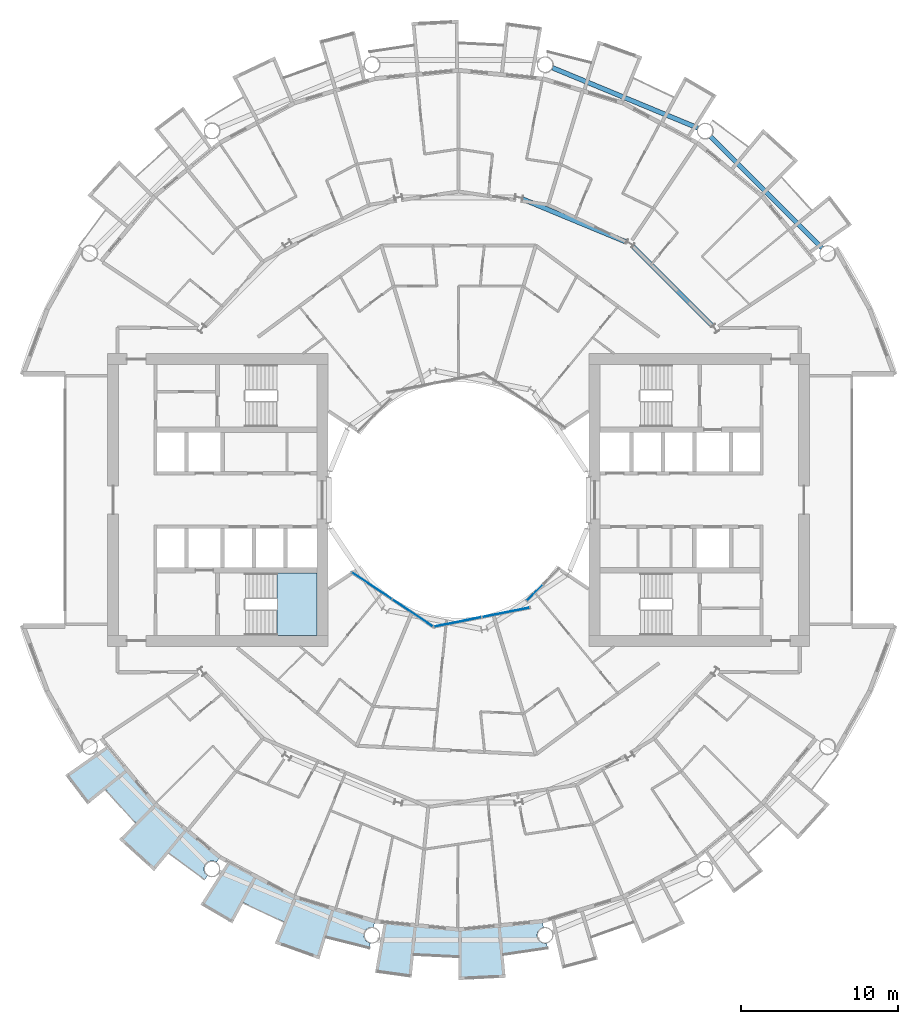
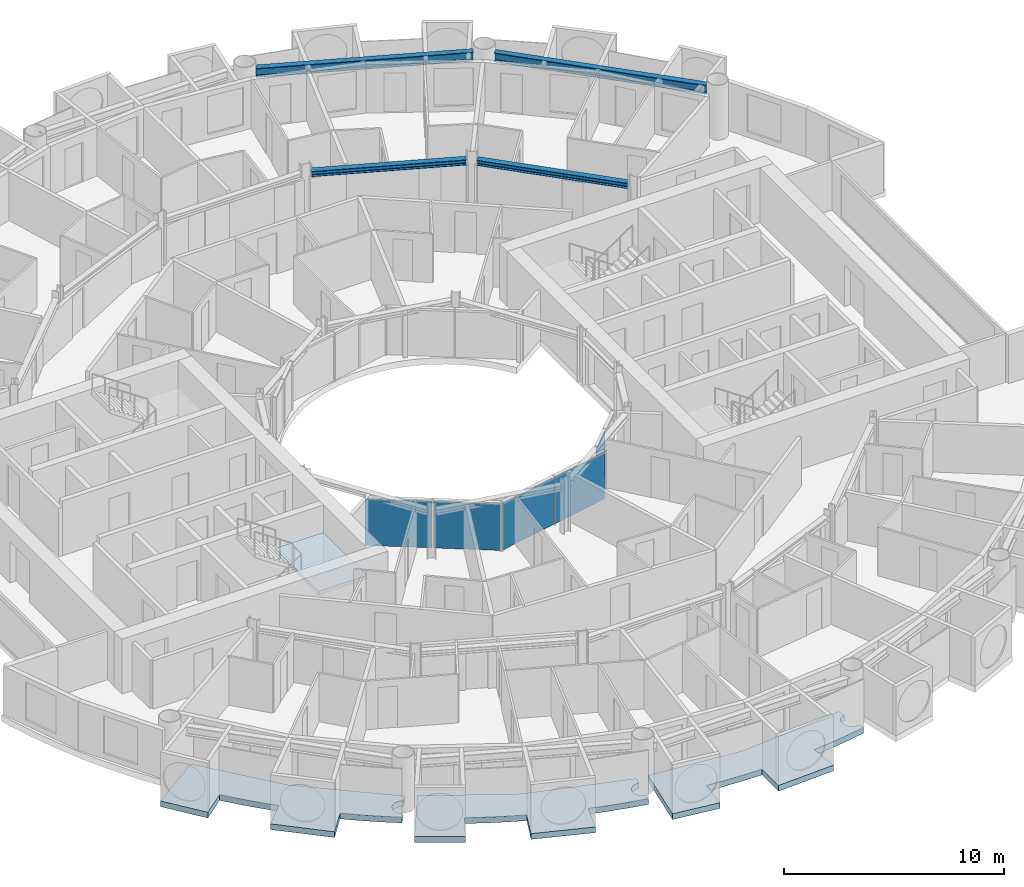
# One storey, part 9 of 26: 5 plates, 4 beams, 4 slabs, 4 elements without a shape of their own.
"""IFC4 building model written with IfcOpenShell, lengths in metres."""

from ifc_helpers import new_model, si_unit, direction, frame, origin, origin_2d, place, context, subcontext, project, spatial, polyline, rectangle, i_section, outline, extrude, material, layer, layer_set, material_profile, profile_set, type_object, element, aggregate, save


model = new_model("IFC4")

# Units and contexts
model_context = context("Model", 3, precision=1e-05, world=origin(), true_north=direction((0.0, 1.0)))
body_context = subcontext(model_context, "Body", "Model", "MODEL_VIEW")
ifc_project = project(units=[si_unit("LENGTHUNIT", "METRE"), si_unit("AREAUNIT", "SQUARE_METRE"), si_unit("VOLUMEUNIT", "CUBIC_METRE"), si_unit("PLANEANGLEUNIT", "RADIAN"), si_unit("MASSUNIT", "GRAM", prefix="KILO")], contexts=[model_context])

# Site, building, storey
site_placement = place(None, origin())
site = spatial("IfcSite", under=ifc_project, at=site_placement, CompositionType="ELEMENT")
building_placement = place(site_placement, origin())
building = spatial("IfcBuilding", under=site, at=building_placement, Name="Maasbend Ring Residences", CompositionType="ELEMENT")
storey_placement = place(building_placement, frame((0.0, 0.0, 75.800048828125)))
storey = spatial("IfcBuildingStorey", under=building, at=storey_placement, Name="L21", CompositionType="ELEMENT", Elevation=75.800048828125)

# Beams
ifc_material_1 = material(Name="Steel S355J2", Category="steel")
ifc_material_profile_1 = material_profile(ifc_material_1, i_section(OverallWidth=0.300048828125, OverallDepth=0.300048828125, WebThickness=0.010986328125, FlangeThickness=0.01904296875, FilletRadius=0.027099609375, at=origin_2d()), Name="HEB 300")
ifc_profile_set_1 = profile_set([ifc_material_profile_1], Name="Steel S355J2")
beam_type_1 = type_object("IfcBeamType", Name="Corridor ring beam HEB 300", PredefinedType="BEAM", material=ifc_profile_set_1)
for number, where, z_axis, x_axis, name in (
    (1, (16.10791015625, 11.078125, 2.550048828125), (-0.707106781187, 0.707106781187, 0.0), (-0.707106781187, -0.707106781187, 0.0), "Corridor ring beam"),
    (2, (10.642333984375, 16.39892578125, 2.550048828125), (-0.923877113721, 0.382689271788, 0.0), (-0.382689271788, -0.923877113721, 0.0), "Corridor ring beam"),
):
    element("IfcBeam", number, at=place(storey_placement, frame(where, z_axis=z_axis, x_axis=x_axis)), inside=storey, type_object=beam_type_1, Name=name, PredefinedType="BEAM", context=body_context, shape_type="SweptSolid", body=[
        extrude(i_section(OverallWidth=0.300048828125, OverallDepth=0.300048828125, WebThickness=0.010986328125, FlangeThickness=0.01904296875, FilletRadius=0.027099609375, at=origin_2d()), origin(), (0.0, 0.0, 1.0), 7.11328125),
    ])
ifc_material_2 = material(Name="Steel S355J2", Category="steel")
ifc_material_profile_2 = material_profile(ifc_material_2, i_section(OverallWidth=0.300048828125, OverallDepth=0.5, WebThickness=0.014404296875, FlangeThickness=0.028076171875, FilletRadius=0.027099609375, at=origin_2d()), Name="HEB 500")
ifc_profile_set_2 = profile_set([ifc_material_profile_2], Name="Steel S355J2")
beam_type_2 = type_object("IfcBeamType", Name="Spandrel ring beam HEB 500", PredefinedType="SPANDREL", material=ifc_profile_set_2)
beam_1_placement = place(storey_placement, frame((23.088134765625, 16.0263671875, 2.449951171875), z_axis=(-0.707106781187, 0.707106781187, 0.0), x_axis=(-0.707106781187, -0.707106781187, 0.0)))
element("IfcBeam", 3, at=beam_1_placement, inside=storey, type_object=beam_type_2, Name="Spandrel ring beam", PredefinedType="SPANDREL", context=body_context, shape_type="SweptSolid", body=[
    extrude(i_section(OverallWidth=0.300048828125, OverallDepth=0.5, WebThickness=0.014404296875, FlangeThickness=0.028076171875, FilletRadius=0.027099609375, at=origin_2d()), origin(), (0.0, 0.0, 1.0), 9.98681640625),
])
beam_2_placement = place(storey_placement, frame((15.19775390625, 23.641845703125, 2.449951171875), z_axis=(-0.923886337442, 0.382667003395, 0.0), x_axis=(-0.382667003395, -0.923886337442, 0.0)))
element("IfcBeam", 4, at=beam_2_placement, inside=storey, type_object=beam_type_2, Name="Spandrel ring beam", PredefinedType="SPANDREL", context=body_context, shape_type="SweptSolid", body=[
    extrude(i_section(OverallWidth=0.300048828125, OverallDepth=0.5, WebThickness=0.014404296875, FlangeThickness=0.028076171875, FilletRadius=0.027099609375, at=origin_2d()), origin(), (0.0, 0.0, 1.0), 9.9873046875),
])

# Stair, slab
ifc_material_3 = material(Name="Concrete C40/50", Category="concrete")
stair_type = type_object("IfcStairType", Name="CORE STAIR 18 RISERS", PredefinedType="HALF_TURN_STAIR", material=ifc_material_3)
stair_placement = place(storey_placement, origin())
stair = element("IfcStair", 5, at=stair_placement, inside=storey, type_object=stair_type, Name="L21 Exit stair ST-W1", PredefinedType="HALF_TURN_STAIR")
ifc_material_4 = material(Name="Concrete C40/50", Category="concrete")
ifc_layer_1 = layer(ifc_material_4, 0.199951171875)
ifc_layer_set_1 = layer_set([ifc_layer_1], Name="Concrete C40/50")
slab_type_1 = type_object("IfcSlabType", Name="CORE STAIR LANDING 200", PredefinedType="LANDING", material=ifc_layer_set_1)
slab_1_placement = place(storey_placement, frame((0.0, 0.0, 1.324951171875)))
slab_1 = element("IfcSlab", 6, at=slab_1_placement, type_object=slab_type_1, Name="ST-W1 landing 1", PredefinedType="LANDING", context=body_context, shape_type="SweptSolid", body=[
    extrude(outline(polyline([(-11.550048828125, -8.60009765625), (-9.0, -8.60009765625), (-9.0, -4.64990234375), (-11.550048828125, -4.64990234375), (-11.550048828125, -8.60009765625)])), origin(), (0.0, 0.0, 1.0), 0.199951171875),
])
aggregate(stair, [slab_1])

# Curtain wall, plates
ifc_material_5 = material(Name="Aluminium and clear glass", Category="aluminium")
ifc_layer_2 = layer(ifc_material_5, 0.179931640625)
ifc_layer_set_2 = layer_set([ifc_layer_2], Name="CW-W")
curtain_wall_type = type_object("IfcCurtainWallType", Name="CW-W", PredefinedType="NOTDEFINED", material=ifc_layer_set_2)
curtain_wall_1_placement = place(storey_placement, origin())
curtain_wall_1 = element("IfcCurtainWall", 7, at=curtain_wall_1_placement, inside=storey, type_object=curtain_wall_type, Name="Well curtain wall S1", PredefinedType="NOTDEFINED")
ifc_material_6 = material(Name="Glass clear laminated", Category="glass")
ifc_layer_3 = layer(ifc_material_6, 0.031982421875)
ifc_layer_set_3 = layer_set([ifc_layer_3], Name="CWP-W")
plate_type = type_object("IfcPlateType", Name="CWP-W", PredefinedType="CURTAIN_PANEL", material=ifc_layer_set_3)
plate_1_placement = place(storey_placement, frame((-5.51123046875, -5.44580078125, 0.0), z_axis=(0.0, 0.0, 1.0), x_axis=(0.831469612303, -0.55557023302, 0.0)))
plate_1 = element("IfcPlate", 8, at=plate_1_placement, type_object=plate_type, Name="Glass panel well face", PredefinedType="CURTAIN_PANEL", context=body_context, shape_type="SweptSolid", body=[
    extrude(rectangle(XDim=3.053955078125, YDim=0.031982421875, at=origin_2d()), origin(), (0.0, 0.0, 1.0), 2.580078125),
])
plate_2_placement = place(storey_placement, frame((-2.922119140625, -7.17578125, 0.0), z_axis=(0.0, 0.0, 1.0), x_axis=(0.831469612303, -0.55557023302, 0.0)))
plate_2 = element("IfcPlate", 9, at=plate_2_placement, type_object=plate_type, Name="Glass panel well face", PredefinedType="CURTAIN_PANEL", context=body_context, shape_type="SweptSolid", body=[
    extrude(rectangle(XDim=3.053955078125, YDim=0.031982421875, at=origin_2d()), origin(), (0.0, 0.0, 1.0), 2.580078125),
])
aggregate(curtain_wall_1, [plate_1, plate_2])

curtain_wall_2_placement = place(storey_placement, origin())
curtain_wall_2 = element("IfcCurtainWall", 10, at=curtain_wall_2_placement, inside=storey, type_object=curtain_wall_type, Name="Well curtain wall S2", PredefinedType="NOTDEFINED")
plate_3_placement = place(storey_placement, frame((-0.04638671875, -7.747802734375, 0.0), z_axis=(0.0, 0.0, 1.0), x_axis=(0.980785280403, 0.195090322016, 0.0)))
plate_3 = element("IfcPlate", 11, at=plate_3_placement, type_object=plate_type, Name="Glass panel well face", PredefinedType="CURTAIN_PANEL", context=body_context, shape_type="SweptSolid", body=[
    extrude(rectangle(XDim=3.053955078125, YDim=0.031982421875, at=origin_2d()), origin(), (0.0, 0.0, 1.0), 2.580078125),
])
plate_4_placement = place(storey_placement, frame((3.0078125, -7.140380859375, 0.0), z_axis=(0.0, 0.0, 1.0), x_axis=(0.980785280403, 0.195090322016, 0.0)))
plate_4 = element("IfcPlate", 12, at=plate_4_placement, type_object=plate_type, Name="Glass panel well face", PredefinedType="CURTAIN_PANEL", context=body_context, shape_type="SweptSolid", body=[
    extrude(rectangle(XDim=3.053955078125, YDim=0.031982421875, at=origin_2d()), origin(), (0.0, 0.0, 1.0), 2.580078125),
])
aggregate(curtain_wall_2, [plate_3, plate_4])

# Curtain wall, plate
curtain_wall_3_placement = place(storey_placement, origin())
curtain_wall_3 = element("IfcCurtainWall", 13, at=curtain_wall_3_placement, inside=storey, type_object=curtain_wall_type, Name="Well curtain wall S3", PredefinedType="NOTDEFINED")
plate_5_placement = place(storey_placement, frame((4.84375, -5.89013671875, 0.0), z_axis=(0.0, 0.0, 1.0), x_axis=(0.707106781187, 0.707106781187, 0.0)))
plate_5 = element("IfcPlate", 14, at=plate_5_placement, type_object=plate_type, Name="Glass panel well face", PredefinedType="CURTAIN_PANEL", context=body_context, shape_type="SweptSolid", body=[
    extrude(rectangle(XDim=1.419677734375, YDim=0.031982421875, at=origin_2d()), origin(), (0.0, 0.0, 1.0), 2.580078125),
])
aggregate(curtain_wall_3, [plate_5])

# Slabs
ifc_material_7 = material(Name="Concrete C40/50", Category="concrete")
ifc_layer_4 = layer(ifc_material_7, 0.199951171875)
ifc_layer_set_4 = layer_set([ifc_layer_4], Name="Concrete C40/50")
slab_type_2 = type_object("IfcSlabType", Name="SL-LOGGIA", PredefinedType="FLOOR", material=ifc_layer_set_4)
slab_2_placement = place(storey_placement, frame((0.0, 0.0, -0.35009765625)))
element("IfcSlab", 15, at=slab_2_placement, inside=storey, type_object=slab_type_2, Name="Loggia floor 2", PredefinedType="FLOOR", context=body_context, shape_type="SweptSolid", body=[
    extrude(outline(polyline([(-12.806884765625, -23.9609375), (-10.447021484375, -25.221923828125), (-10.447021484375, -25.221923828125), (-10.447021484375, -25.221923828125), (-7.886962890625, -25.9990234375), (-5.325927734375, -26.77490234375), (-5.325927734375, -26.77490234375), (-5.325927734375, -26.77490234375), (-5.402099609375, -27.159912109375), (-5.4150390625, -27.157958984375), (-5.427001953125, -27.156005859375), (-5.43896484375, -27.154052734375), (-5.451904296875, -27.153076171875), (-5.464111328125, -27.15087890625), (-5.47705078125, -27.15087890625), (-5.489013671875, -27.14990234375), (-5.501953125, -27.14990234375), (-5.513916015625, -27.14990234375), (-5.52587890625, -27.15087890625), (-5.5390625, -27.15087890625), (-5.551025390625, -27.153076171875), (-5.56396484375, -27.154052734375), (-5.575927734375, -27.156005859375), (-5.587890625, -27.157958984375), (-5.60107421875, -27.159912109375), (-5.613037109375, -27.162109375), (-5.625, -27.1650390625), (-5.636962890625, -27.1689453125), (-5.64892578125, -27.172119140625), (-5.660888671875, -27.176025390625), (-5.673095703125, -27.179931640625), (-5.68408203125, -27.18408203125), (-5.696044921875, -27.18896484375), (-5.70703125, -27.194091796875), (-5.718994140625, -27.198974609375), (-5.72998046875, -27.2041015625), (-5.740966796875, -27.2099609375), (-5.751953125, -27.216064453125), (-5.762939453125, -27.221923828125), (-5.77294921875, -27.22900390625), (-5.783935546875, -27.236083984375), (-5.7939453125, -27.242919921875), (-5.803955078125, -27.25), (-5.81396484375, -27.258056640625), (-5.823974609375, -27.264892578125), (-5.8330078125, -27.27294921875), (-5.843017578125, -27.281982421875), (-5.85205078125, -27.2900390625), (-5.861083984375, -27.299072265625), (-5.868896484375, -27.30810546875), (-5.8779296875, -27.31689453125), (-5.885986328125, -27.325927734375), (-5.89404296875, -27.3359375), (-5.902099609375, -27.345947265625), (-5.909912109375, -27.35498046875), (-5.9169921875, -27.365966796875), (-5.924072265625, -27.3759765625), (-5.930908203125, -27.385986328125), (-5.93701171875, -27.39697265625), (-5.944091796875, -27.407958984375), (-5.949951171875, -27.4189453125), (-5.955078125, -27.429931640625), (-5.9609375, -27.44091796875), (-5.966064453125, -27.451904296875), (-5.970947265625, -27.464111328125), (-5.97509765625, -27.47509765625), (-5.97998046875, -27.487060546875), (-5.98388671875, -27.4990234375), (-5.988037109375, -27.510986328125), (-5.990966796875, -27.52294921875), (-5.993896484375, -27.534912109375), (-5.9970703125, -27.547119140625), (-6.0, -27.55908203125), (-6.001953125, -27.571044921875), (-6.00390625, -27.583984375), (-6.006103515625, -27.595947265625), (-6.007080078125, -27.60791015625), (-6.008056640625, -27.62109375), (-6.009033203125, -27.633056640625), (-6.009033203125, -27.64599609375), (-6.010009765625, -27.657958984375), (-6.009033203125, -27.6708984375), (-6.009033203125, -27.68310546875), (-6.008056640625, -27.695068359375), (-6.007080078125, -27.7080078125), (-6.006103515625, -27.719970703125), (-6.00390625, -27.73291015625), (-6.001953125, -27.7451171875), (-6.0, -27.757080078125), (-5.9970703125, -27.76904296875), (-5.993896484375, -27.781982421875), (-5.990966796875, -27.7939453125), (-5.988037109375, -27.805908203125), (-5.98388671875, -27.81689453125), (-5.97998046875, -27.8291015625), (-5.97509765625, -27.841064453125), (-5.970947265625, -27.85302734375), (-5.966064453125, -27.864013671875), (-5.9609375, -27.875), (-5.955078125, -27.886962890625), (-5.949951171875, -27.89794921875), (-5.944091796875, -27.907958984375), (-5.93701171875, -27.9189453125), (-5.930908203125, -27.929931640625), (-5.924072265625, -27.93994140625), (-5.9169921875, -27.950927734375), (-5.909912109375, -27.9609375), (-5.902099609375, -27.970947265625), (-5.89404296875, -27.97998046875), (-5.885986328125, -27.989990234375), (-5.8779296875, -27.9990234375), (-5.868896484375, -28.008056640625), (-5.861083984375, -28.01708984375), (-5.85205078125, -28.02587890625), (-5.843017578125, -28.034912109375), (-5.8330078125, -28.04296875), (-5.823974609375, -28.051025390625), (-5.81396484375, -28.05908203125), (-5.803955078125, -28.06591796875), (-5.7939453125, -28.072998046875), (-5.783935546875, -28.080078125), (-5.77294921875, -28.0869140625), (-5.762939453125, -28.093994140625), (-5.751953125, -28.10009765625), (-5.740966796875, -28.10595703125), (-5.72998046875, -28.112060546875), (-5.718994140625, -28.116943359375), (-5.70703125, -28.123046875), (-5.696044921875, -28.126953125), (-5.68408203125, -28.132080078125), (-5.673095703125, -28.135986328125), (-5.660888671875, -28.139892578125), (-5.64892578125, -28.14404296875), (-5.636962890625, -28.14794921875), (-5.625, -28.15087890625), (-5.613037109375, -28.154052734375), (-5.60107421875, -28.156005859375), (-5.657958984375, -28.443115234375), (-5.657958984375, -28.443115234375), (-5.657958984375, -28.443115234375), (-6.5849609375, -28.241943359375), (-6.5849609375, -28.241943359375), (-7.506103515625, -28.011962890625), (-7.506103515625, -28.011962890625), (-8.41796875, -27.7509765625), (-8.41796875, -27.7509765625), (-8.41796875, -27.7509765625), (-8.41796875, -27.7509765625), (-8.41796875, -27.7509765625), (-8.41796875, -27.7509765625), (-8.41796875, -27.7509765625), (-8.41796875, -27.7509765625), (-8.41796875, -27.7509765625), (-8.41796875, -27.7509765625), (-8.41796875, -27.751953125), (-8.41796875, -27.751953125), (-8.41796875, -27.751953125), (-8.41796875, -27.751953125), (-8.41796875, -27.751953125), (-8.41796875, -27.751953125), (-8.41796875, -27.751953125), (-8.85400390625, -29.18701171875), (-8.85400390625, -29.18701171875), (-8.85400390625, -29.18701171875), (-11.672119140625, -28.177978515625), (-11.672119140625, -28.177978515625), (-11.672119140625, -28.177978515625), (-11.097900390625, -26.79296875), (-11.097900390625, -26.79296875), (-11.097900390625, -26.79296875), (-11.097900390625, -26.79296875), (-11.097900390625, -26.79296875), (-11.097900390625, -26.79296875), (-11.097900390625, -26.79296875), (-11.097900390625, -26.79296875), (-11.097900390625, -26.79296875), (-11.097900390625, -26.79296875), (-11.097900390625, -26.7919921875), (-11.097900390625, -26.7919921875), (-11.097900390625, -26.7919921875), (-11.097900390625, -26.7919921875), (-11.097900390625, -26.7919921875), (-11.097900390625, -26.7919921875), (-11.097900390625, -26.7919921875), (-11.968994140625, -26.4150390625), (-11.968994140625, -26.4150390625), (-12.825927734375, -26.009033203125), (-12.825927734375, -26.009033203125), (-13.669921875, -25.575927734375), (-13.669921875, -25.575927734375), (-13.669921875, -25.575927734375), (-13.669921875, -25.575927734375), (-13.669921875, -25.575927734375), (-13.669921875, -25.575927734375), (-13.669921875, -25.575927734375), (-13.669921875, -25.575927734375), (-13.669921875, -25.575927734375), (-13.669921875, -25.575927734375), (-13.6708984375, -25.575927734375), (-13.6708984375, -25.575927734375), (-13.6708984375, -25.575927734375), (-13.6708984375, -25.575927734375), (-13.6708984375, -25.575927734375), (-13.6708984375, -25.575927734375), (-13.6708984375, -25.575927734375), (-14.3779296875, -26.89892578125), (-14.3779296875, -26.89892578125), (-14.3779296875, -26.89892578125), (-16.39404296875, -25.718994140625), (-16.39404296875, -25.718994140625), (-16.39404296875, -25.718994140625), (-14.64599609375, -22.97705078125), (-14.64599609375, -22.97705078125), (-14.64599609375, -22.97705078125), (-12.806884765625, -23.9609375)])), origin(), (0.0, 0.0, 1.0), 0.320068359375),
])
slab_3_placement = place(storey_placement, frame((0.0, 0.0, -0.35009765625)))
element("IfcSlab", 16, at=slab_3_placement, inside=storey, type_object=slab_type_2, Name="Loggia floor 3", PredefinedType="FLOOR", context=body_context, shape_type="SweptSolid", body=[
    extrude(outline(polyline([(-2.6630859375, -27.0380859375), (0.0, -27.300048828125), (0.0, -27.300048828125), (0.0, -27.300048828125), (2.6630859375, -27.0380859375), (5.325927734375, -26.77490234375), (5.325927734375, -26.77490234375), (5.325927734375, -26.77490234375), (5.402099609375, -27.159912109375), (5.402099609375, -27.159912109375), (5.389892578125, -27.162109375), (5.3779296875, -27.1650390625), (5.365966796875, -27.1689453125), (5.35400390625, -27.172119140625), (5.342041015625, -27.176025390625), (5.330078125, -27.179931640625), (5.319091796875, -27.18408203125), (5.306884765625, -27.18896484375), (5.2958984375, -27.194091796875), (5.283935546875, -27.198974609375), (5.27294921875, -27.2041015625), (5.261962890625, -27.2099609375), (5.2509765625, -27.216064453125), (5.239990234375, -27.221923828125), (5.22998046875, -27.22900390625), (5.218994140625, -27.236083984375), (5.208984375, -27.242919921875), (5.198974609375, -27.25), (5.18896484375, -27.258056640625), (5.178955078125, -27.264892578125), (5.169921875, -27.27294921875), (5.159912109375, -27.281982421875), (5.15087890625, -27.2900390625), (5.14208984375, -27.299072265625), (5.134033203125, -27.30810546875), (5.125, -27.31689453125), (5.116943359375, -27.325927734375), (5.10888671875, -27.3359375), (5.10107421875, -27.345947265625), (5.093017578125, -27.35498046875), (5.0859375, -27.365966796875), (5.0791015625, -27.3759765625), (5.072021484375, -27.385986328125), (5.06591796875, -27.39697265625), (5.05908203125, -27.407958984375), (5.052978515625, -27.4189453125), (5.048095703125, -27.429931640625), (5.0419921875, -27.44091796875), (5.037109375, -27.451904296875), (5.031982421875, -27.464111328125), (5.028076171875, -27.47509765625), (5.02294921875, -27.487060546875), (5.01904296875, -27.4990234375), (5.014892578125, -27.510986328125), (5.011962890625, -27.52294921875), (5.009033203125, -27.534912109375), (5.006103515625, -27.547119140625), (5.0029296875, -27.55908203125), (5.0009765625, -27.571044921875), (4.9990234375, -27.583984375), (4.9970703125, -27.595947265625), (4.99609375, -27.60791015625), (4.9951171875, -27.62109375), (4.993896484375, -27.633056640625), (4.993896484375, -27.64599609375), (4.993896484375, -27.657958984375), (4.993896484375, -27.6708984375), (4.993896484375, -27.68310546875), (4.9951171875, -27.695068359375), (4.99609375, -27.7080078125), (4.9970703125, -27.719970703125), (4.9990234375, -27.73291015625), (5.0009765625, -27.7451171875), (5.0029296875, -27.757080078125), (5.006103515625, -27.76904296875), (5.009033203125, -27.781982421875), (5.011962890625, -27.7939453125), (5.014892578125, -27.805908203125), (5.01904296875, -27.81689453125), (5.02294921875, -27.8291015625), (5.028076171875, -27.841064453125), (5.031982421875, -27.85302734375), (5.037109375, -27.864013671875), (5.0419921875, -27.875), (5.048095703125, -27.886962890625), (5.052978515625, -27.89794921875), (5.05908203125, -27.907958984375), (5.06591796875, -27.9189453125), (5.072021484375, -27.929931640625), (5.0791015625, -27.93994140625), (5.0859375, -27.950927734375), (5.093017578125, -27.9609375), (5.10107421875, -27.970947265625), (5.10888671875, -27.97998046875), (5.116943359375, -27.989990234375), (5.125, -27.9990234375), (5.134033203125, -28.008056640625), (5.14208984375, -28.01708984375), (5.15087890625, -28.02587890625), (5.159912109375, -28.034912109375), (5.169921875, -28.04296875), (5.178955078125, -28.051025390625), (5.18896484375, -28.05908203125), (5.198974609375, -28.06591796875), (5.208984375, -28.072998046875), (5.218994140625, -28.080078125), (5.22998046875, -28.0869140625), (5.239990234375, -28.093994140625), (5.2509765625, -28.10009765625), (5.261962890625, -28.10595703125), (5.27294921875, -28.112060546875), (5.283935546875, -28.116943359375), (5.2958984375, -28.123046875), (5.306884765625, -28.126953125), (5.319091796875, -28.132080078125), (5.330078125, -28.135986328125), (5.342041015625, -28.139892578125), (5.35400390625, -28.14404296875), (5.365966796875, -28.14794921875), (5.3779296875, -28.15087890625), (5.389892578125, -28.154052734375), (5.402099609375, -28.156005859375), (5.4150390625, -28.158935546875), (5.427001953125, -28.160888671875), (5.43896484375, -28.162109375), (5.451904296875, -28.1640625), (5.464111328125, -28.1650390625), (5.47705078125, -28.1650390625), (5.489013671875, -28.166015625), (5.501953125, -28.166015625), (5.513916015625, -28.166015625), (5.52587890625, -28.1650390625), (5.5390625, -28.1650390625), (5.551025390625, -28.1640625), (5.56396484375, -28.162109375), (5.575927734375, -28.160888671875), (5.587890625, -28.158935546875), (5.60107421875, -28.156005859375), (5.60107421875, -28.156005859375), (5.657958984375, -28.443115234375), (5.657958984375, -28.443115234375), (5.657958984375, -28.443115234375), (4.72412109375, -28.613037109375), (4.72412109375, -28.613037109375), (3.784912109375, -28.751953125), (3.784912109375, -28.751953125), (2.843017578125, -28.860107421875), (2.843017578125, -28.860107421875), (2.843017578125, -28.860107421875), (2.843017578125, -28.860107421875), (2.843017578125, -28.860107421875), (2.843017578125, -28.860107421875), (2.843017578125, -28.860107421875), (2.843017578125, -28.860107421875), (2.843017578125, -28.860107421875), (2.843017578125, -28.861083984375), (2.843017578125, -28.861083984375), (2.843017578125, -28.861083984375), (2.843017578125, -28.861083984375), (2.843017578125, -28.861083984375), (2.843017578125, -28.861083984375), (2.843017578125, -28.861083984375), (2.843017578125, -28.861083984375), (2.989990234375, -30.35302734375), (2.989990234375, -30.35302734375), (2.989990234375, -30.35302734375), (0.0, -30.5), (0.0, -30.5), (0.0, -30.5), (0.0, -29.0), (0.0, -29.0), (0.0, -29.0), (0.0, -29.0), (0.0, -29.0), (0.0, -29.0), (0.0, -29.0), (0.0, -29.0), (0.0, -29.0), (0.0, -29.0), (0.0, -29.0), (0.0, -29.0), (0.0, -29.0), (0.0, -29.0), (0.0, -29.0), (0.0, -29.0), (0.0, -29.0), (-0.948974609375, -28.98388671875), (-0.948974609375, -28.98388671875), (-1.89697265625, -28.93798828125), (-1.89697265625, -28.93798828125), (-2.842041015625, -28.860107421875), (-2.842041015625, -28.860107421875), (-2.842041015625, -28.860107421875), (-2.842041015625, -28.860107421875), (-2.842041015625, -28.860107421875), (-2.842041015625, -28.860107421875), (-2.842041015625, -28.860107421875), (-2.842041015625, -28.860107421875), (-2.842041015625, -28.861083984375), (-2.842041015625, -28.861083984375), (-2.842041015625, -28.861083984375), (-2.842041015625, -28.861083984375), (-2.842041015625, -28.861083984375), (-2.843017578125, -28.861083984375), (-2.843017578125, -28.861083984375), (-2.843017578125, -28.861083984375), (-2.843017578125, -28.861083984375), (-2.989990234375, -30.35302734375), (-2.989990234375, -30.35302734375), (-2.989990234375, -30.35302734375), (-5.303955078125, -30.034912109375), (-5.303955078125, -30.034912109375), (-5.303955078125, -30.034912109375), (-4.739013671875, -26.8330078125), (-4.739013671875, -26.8330078125), (-4.739013671875, -26.8330078125), (-2.6630859375, -27.0380859375)])), origin(), (0.0, 0.0, 1.0), 0.320068359375),
])
slab_4_placement = place(storey_placement, frame((0.0, 0.0, -0.35009765625)))
element("IfcSlab", 17, at=slab_4_placement, inside=storey, type_object=slab_type_2, Name="Loggia floor 5", PredefinedType="FLOOR", context=body_context, shape_type="SweptSolid", body=[
    extrude(outline(polyline([(-21.001953125, -17.236083984375), (-19.303955078125, -19.303955078125), (-19.303955078125, -19.303955078125), (-19.303955078125, -19.303955078125), (-17.236083984375, -21.001953125), (-15.1669921875, -22.698974609375), (-15.1669921875, -22.698974609375), (-15.1669921875, -22.698974609375), (-15.385009765625, -23.02490234375), (-15.385009765625, -23.02490234375), (-15.39501953125, -23.01806640625), (-15.406005859375, -23.011962890625), (-15.4169921875, -23.0048828125), (-15.427978515625, -22.9990234375), (-15.43896484375, -22.993896484375), (-15.449951171875, -22.988037109375), (-15.4609375, -22.98291015625), (-15.472900390625, -22.97802734375), (-15.48388671875, -22.972900390625), (-15.49609375, -22.968994140625), (-15.508056640625, -22.965087890625), (-15.52001953125, -22.9609375), (-15.531982421875, -22.9580078125), (-15.5439453125, -22.955078125), (-15.555908203125, -22.951904296875), (-15.568115234375, -22.948974609375), (-15.580078125, -22.947021484375), (-15.593017578125, -22.945068359375), (-15.60498046875, -22.943115234375), (-15.616943359375, -22.94189453125), (-15.6298828125, -22.94091796875), (-15.64208984375, -22.93994140625), (-15.655029296875, -22.93994140625), (-15.6669921875, -22.93896484375), (-15.679931640625, -22.93994140625), (-15.69189453125, -22.93994140625), (-15.7041015625, -22.94091796875), (-15.717041015625, -22.94189453125), (-15.72900390625, -22.943115234375), (-15.741943359375, -22.945068359375), (-15.75390625, -22.947021484375), (-15.76611328125, -22.948974609375), (-15.778076171875, -22.951904296875), (-15.791015625, -22.955078125), (-15.802978515625, -22.9580078125), (-15.81494140625, -22.9609375), (-15.825927734375, -22.965087890625), (-15.837890625, -22.968994140625), (-15.85009765625, -22.972900390625), (-15.862060546875, -22.97802734375), (-15.873046875, -22.98291015625), (-15.884033203125, -22.988037109375), (-15.89599609375, -22.993896484375), (-15.906982421875, -22.9990234375), (-15.9169921875, -23.0048828125), (-15.927978515625, -23.011962890625), (-15.93896484375, -23.01806640625), (-15.948974609375, -23.02490234375), (-15.9599609375, -23.031982421875), (-15.969970703125, -23.0390625), (-15.97998046875, -23.047119140625), (-15.989013671875, -23.054931640625), (-15.9990234375, -23.06298828125), (-16.008056640625, -23.071044921875), (-16.01708984375, -23.0791015625), (-16.02587890625, -23.087890625), (-16.034912109375, -23.096923828125), (-16.0439453125, -23.10595703125), (-16.052001953125, -23.115966796875), (-16.06005859375, -23.125), (-16.068115234375, -23.135009765625), (-16.074951171875, -23.14501953125), (-16.08203125, -23.155029296875), (-16.089111328125, -23.1650390625), (-16.095947265625, -23.176025390625), (-16.10302734375, -23.18603515625), (-16.10888671875, -23.197021484375), (-16.114990234375, -23.2080078125), (-16.12109375, -23.218994140625), (-16.1259765625, -23.22998046875), (-16.132080078125, -23.241943359375), (-16.135986328125, -23.2529296875), (-16.14111328125, -23.264892578125), (-16.14501953125, -23.27587890625), (-16.14892578125, -23.2880859375), (-16.153076171875, -23.300048828125), (-16.156982421875, -23.31201171875), (-16.159912109375, -23.323974609375), (-16.1630859375, -23.3359375), (-16.1650390625, -23.347900390625), (-16.16796875, -23.361083984375), (-16.169921875, -23.373046875), (-16.1708984375, -23.385009765625), (-16.173095703125, -23.39794921875), (-16.174072265625, -23.409912109375), (-16.174072265625, -23.422119140625), (-16.175048828125, -23.43505859375), (-16.175048828125, -23.447021484375), (-16.175048828125, -23.4599609375), (-16.174072265625, -23.471923828125), (-16.174072265625, -23.485107421875), (-16.173095703125, -23.4970703125), (-16.1708984375, -23.510009765625), (-16.169921875, -23.52197265625), (-16.16796875, -23.533935546875), (-16.1650390625, -23.547119140625), (-16.1630859375, -23.55908203125), (-16.159912109375, -23.571044921875), (-16.156982421875, -23.5830078125), (-16.153076171875, -23.594970703125), (-16.14892578125, -23.60693359375), (-16.14501953125, -23.618896484375), (-16.14111328125, -23.6298828125), (-16.135986328125, -23.64208984375), (-16.132080078125, -23.653076171875), (-16.1259765625, -23.6650390625), (-16.12109375, -23.676025390625), (-16.114990234375, -23.68701171875), (-16.10888671875, -23.697998046875), (-16.10302734375, -23.708984375), (-16.095947265625, -23.718994140625), (-16.089111328125, -23.72998046875), (-16.08203125, -23.739990234375), (-16.074951171875, -23.75), (-16.068115234375, -23.760009765625), (-16.06005859375, -23.77001953125), (-16.052001953125, -23.779052734375), (-16.0439453125, -23.7890625), (-16.034912109375, -23.798095703125), (-16.02587890625, -23.806884765625), (-16.01708984375, -23.81494140625), (-16.008056640625, -23.823974609375), (-15.9990234375, -23.83203125), (-15.989013671875, -23.840087890625), (-15.97998046875, -23.847900390625), (-15.969970703125, -23.85498046875), (-15.9599609375, -23.863037109375), (-15.948974609375, -23.8701171875), (-15.948974609375, -23.8701171875), (-16.112060546875, -24.113037109375), (-16.112060546875, -24.113037109375), (-16.112060546875, -24.113037109375), (-16.89208984375, -23.572998046875), (-16.89208984375, -23.572998046875), (-17.654052734375, -23.007080078125), (-17.654052734375, -23.007080078125), (-18.39697265625, -22.41796875), (-18.39697265625, -22.41796875), (-18.39697265625, -22.41796875), (-18.39697265625, -22.41796875), (-18.39697265625, -22.41796875), (-18.39697265625, -22.41796875), (-18.39697265625, -22.41796875), (-18.39697265625, -22.41796875), (-18.39697265625, -22.41796875), (-18.39697265625, -22.41796875), (-18.39697265625, -22.41796875), (-18.39794921875, -22.41796875), (-18.39794921875, -22.41796875), (-18.39794921875, -22.41796875), (-18.39794921875, -22.41796875), (-18.39794921875, -22.41796875), (-18.39794921875, -22.41796875), (-19.34912109375, -23.576904296875), (-19.34912109375, -23.576904296875), (-19.34912109375, -23.576904296875), (-21.56689453125, -21.56689453125), (-21.56689453125, -21.56689453125), (-21.56689453125, -21.56689453125), (-20.506103515625, -20.506103515625), (-20.506103515625, -20.506103515625), (-20.506103515625, -20.506103515625), (-20.506103515625, -20.506103515625), (-20.506103515625, -20.506103515625), (-20.506103515625, -20.506103515625), (-20.506103515625, -20.506103515625), (-20.506103515625, -20.506103515625), (-20.506103515625, -20.506103515625), (-20.506103515625, -20.506103515625), (-20.506103515625, -20.506103515625), (-20.506103515625, -20.506103515625), (-20.506103515625, -20.506103515625), (-20.506103515625, -20.506103515625), (-20.506103515625, -20.506103515625), (-20.506103515625, -20.506103515625), (-20.506103515625, -20.506103515625), (-21.166015625, -19.823974609375), (-21.166015625, -19.823974609375), (-21.802978515625, -19.12109375), (-21.802978515625, -19.12109375), (-22.4169921875, -18.39794921875), (-22.4169921875, -18.39794921875), (-22.4169921875, -18.39794921875), (-22.4169921875, -18.39794921875), (-22.4169921875, -18.39794921875), (-22.4169921875, -18.39794921875), (-22.4169921875, -18.39794921875), (-22.4169921875, -18.39794921875), (-22.4169921875, -18.39794921875), (-22.4169921875, -18.39794921875), (-22.4169921875, -18.39794921875), (-22.4169921875, -18.39794921875), (-22.41796875, -18.39794921875), (-22.41796875, -18.39794921875), (-22.41796875, -18.39794921875), (-22.41796875, -18.39794921875), (-22.41796875, -18.39794921875), (-23.576904296875, -19.34912109375), (-23.576904296875, -19.34912109375), (-23.576904296875, -19.34912109375), (-24.989013671875, -17.488037109375), (-24.989013671875, -17.488037109375), (-24.989013671875, -17.488037109375), (-22.324951171875, -15.623046875), (-22.324951171875, -15.623046875), (-22.324951171875, -15.623046875), (-21.001953125, -17.236083984375)])), origin(), (0.0, 0.0, 1.0), 0.320068359375),
])

save(model, "model.ifc")
